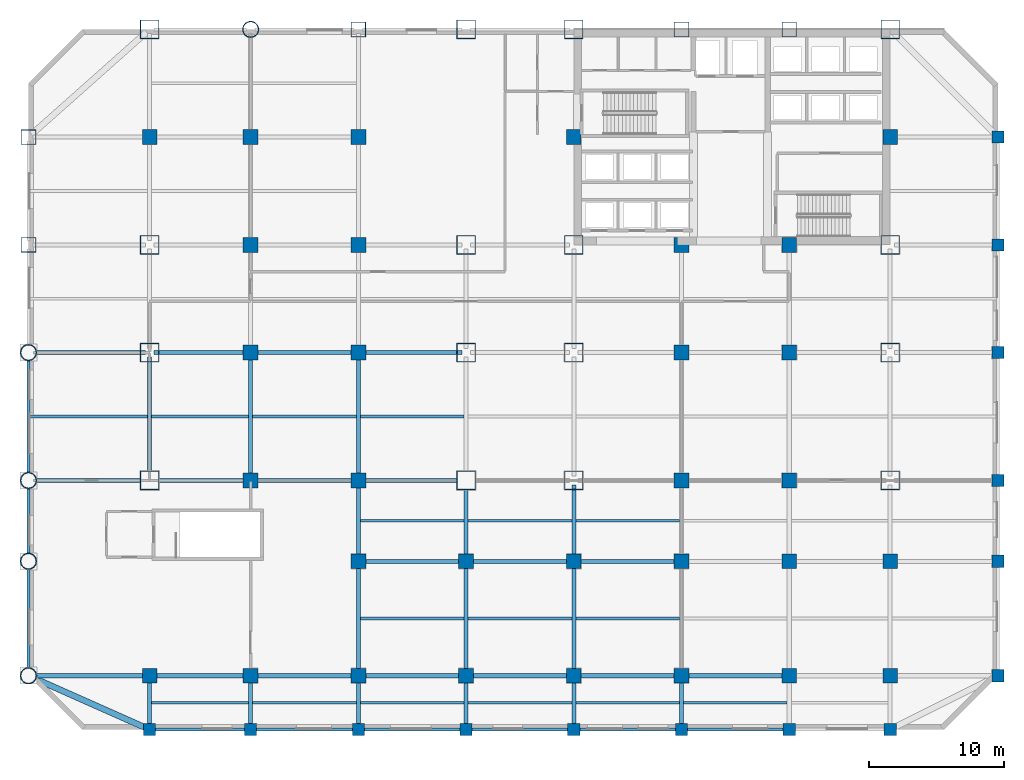
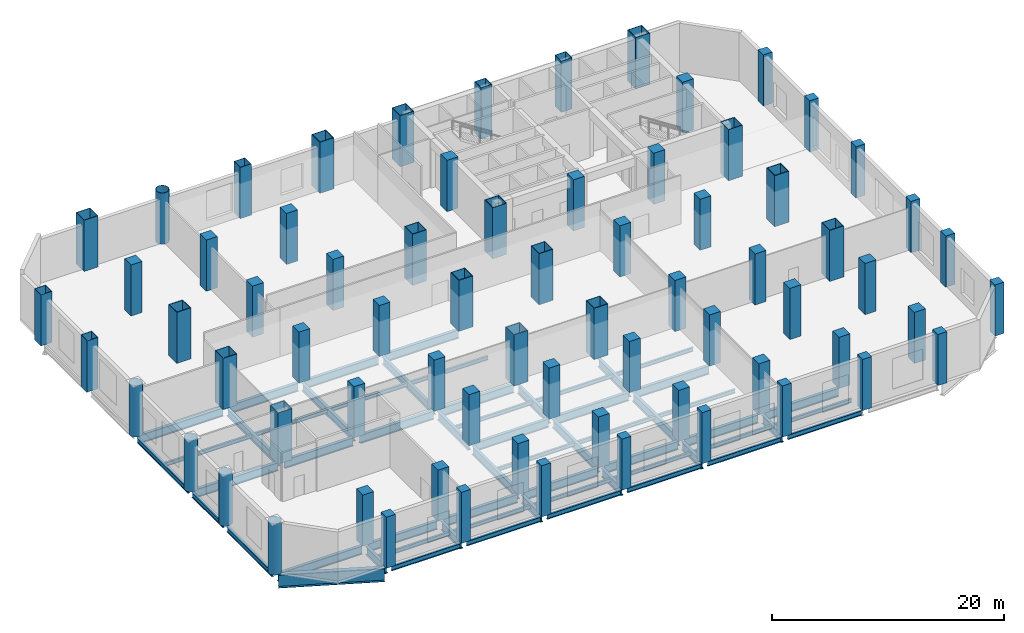
# One storey, part 1 of 9: 71 columns, 59 beams.
"""IFC4 building model written with IfcOpenShell, lengths in metres."""

from ifc_helpers import new_model, si_unit, direction, frame, origin, origin_2d, place, context, subcontext, project, spatial, rectangle, hollow_rectangle, hollow_circle, i_section, extrude, material, material_profile, profile_set, type_object, element, save


model = new_model("IFC4")

# Units and contexts
model_context = context("Model", 3, precision=1e-05, world=origin(), true_north=direction((0.0, 1.0)))
body_context = subcontext(model_context, "Body", "Model", "MODEL_VIEW")
ifc_project = project(units=[si_unit("LENGTHUNIT", "METRE"), si_unit("AREAUNIT", "SQUARE_METRE"), si_unit("VOLUMEUNIT", "CUBIC_METRE"), si_unit("PLANEANGLEUNIT", "RADIAN"), si_unit("MASSUNIT", "GRAM", prefix="KILO")], contexts=[model_context])

# Site, building, storey
site_placement = place(None, origin())
site = spatial("IfcSite", under=ifc_project, at=site_placement, CompositionType="ELEMENT")
building_placement = place(site_placement, origin())
building = spatial("IfcBuilding", under=site, at=building_placement, Name="Qianrong Seaharbour Tower", CompositionType="ELEMENT")
storey_placement = place(building_placement, frame((0.0, 0.0, 22.800048828125)))
storey = spatial("IfcBuildingStorey", under=building, at=storey_placement, Name="L05", CompositionType="ELEMENT", Elevation=22.800048828125)

# Columns
ifc_material_1 = material(Name="Structural steel SN490B", Category="steel")
ifc_material_profile_1 = material_profile(ifc_material_1, hollow_rectangle(XDim=1.39990234375, YDim=1.39990234375, WallThickness=0.050048828125, at=origin_2d()), Name="BOX1400x1400x50")
ifc_profile_set_1 = profile_set([ifc_material_profile_1], Name="Structural steel SN490B")
column_type_1 = type_object("IfcColumnType", Name="COL-CFT-1400", PredefinedType="COLUMN", material=ifc_profile_set_1)
for number, where, z_axis, x_axis, name in (
    (1, (9.0, 18.5, 0.0), (0.0, 0.0, 1.0), (1.0, 0.0, 0.0), "L05 Column MC-1 at G2/GD"),
    (2, (9.0, 28.0, 0.0), (0.0, 0.0, 1.0), (1.0, 0.0, 0.0), "L05 Column MC-1 at G2/GE"),
    (3, (9.0, 36.0, 0.0), (0.0, 0.0, 1.0), (1.0, 0.0, 0.0), "L05 Column MC-1 at G2/GF"),
    (4, (9.0, 52.0, 0.0), (0.0, 0.0, 1.0), (1.0, 0.0, 0.0), "L05 Column MC-1 at G2/GH"),
    (5, (32.5, 18.5, 0.0), (0.0, 0.0, 1.0), (1.0, 0.0, 0.0), "L05 Column MC-1 at G5/GD"),
    (6, (32.5, 28.0, 0.0), (0.0, 0.0, 1.0), (1.0, 0.0, 0.0), "L05 Column MC-1 at G5/GE"),
    (7, (32.5, 36.0, 0.0), (0.0, 0.0, 1.0), (1.0, 0.0, 0.0), "L05 Column MC-1 at G5/GF"),
    (8, (32.5, 52.0, 0.0), (0.0, 0.0, 1.0), (1.0, 0.0, 0.0), "L05 Column MC-1 at G5/GH"),
    (9, (40.5, 18.5, 0.0), (0.0, 0.0, 1.0), (1.0, 0.0, 0.0), "L05 Column MC-1 at G6/GD"),
    (10, (40.5, 28.0, 0.0), (0.0, 0.0, 1.0), (1.0, 0.0, 0.0), "L05 Column MC-1 at G6/GE"),
    (11, (40.5, 36.0, 0.0), (0.0, 0.0, 1.0), (1.0, 0.0, 0.0), "L05 Column MC-1 at G6/GF"),
    (12, (40.5, 52.0, 0.0), (0.0, 0.0, 1.0), (1.0, 0.0, 0.0), "L05 Column MC-1 at G6/GH"),
    (13, (64.0, 18.5, 0.0), (0.0, 0.0, 1.0), (1.0, 0.0, 0.0), "L05 Column MC-1 at G9/GD"),
    (14, (64.0, 28.0, 0.0), (0.0, 0.0, 1.0), (1.0, 0.0, 0.0), "L05 Column MC-1 at G9/GE"),
    (15, (64.0, 36.0, 0.0), (0.0, 0.0, 1.0), (1.0, 0.0, 0.0), "L05 Column MC-1 at G9/GF"),
    (16, (64.0, 52.0, 0.0), (0.0, 0.0, 1.0), (1.0, 0.0, 0.0), "L05 Column MC-1 at G9/GH"),
):
    element("IfcColumn", number, at=place(storey_placement, frame(where, z_axis=z_axis, x_axis=x_axis)), inside=storey, type_object=column_type_1, Name=name, PredefinedType="COLUMN", context=body_context, shape_type="SweptSolid", body=[
        extrude(hollow_rectangle(XDim=1.39990234375, YDim=1.39990234375, WallThickness=0.050048828125, at=origin_2d()), origin(), (0.0, 0.0, 1.0), 5.39990234375),
    ])
ifc_material_profile_2 = material_profile(ifc_material_1, hollow_circle(Radius=0.60009765625, WallThickness=0.0400390625, at=origin_2d()), Name="CHS1200x40")
ifc_profile_set_2 = profile_set([ifc_material_profile_2], Name="Structural steel SN490B")
column_type_2 = type_object("IfcColumnType", Name="COL-CHS-1200", PredefinedType="COLUMN", material=ifc_profile_set_2)
for number, where, z_axis, x_axis, name in (
    (17, (0.0, 4.0, 0.0), (0.0, 0.0, 1.0), (1.0, 0.0, 0.0), "L05 Column CC-1 at G1/GB"),
    (18, (0.0, 12.5, 0.0), (0.0, 0.0, 1.0), (1.0, 0.0, 0.0), "L05 Column CC-1 at G1/GC"),
    (19, (0.0, 18.5, 0.0), (0.0, 0.0, 1.0), (1.0, 0.0, 0.0), "L05 Column CC-1 at G1/GD"),
    (20, (0.0, 28.0, 0.0), (0.0, 0.0, 1.0), (1.0, 0.0, 0.0), "L05 Column CC-1 at G1/GE"),
    (21, (16.5, 52.0, 0.0), (0.0, 0.0, 1.0), (1.0, 0.0, 0.0), "L05 Column CC-1 at G3/GH"),
):
    element("IfcColumn", number, at=place(storey_placement, frame(where, z_axis=z_axis, x_axis=x_axis)), inside=storey, type_object=column_type_2, Name=name, PredefinedType="COLUMN", context=body_context, shape_type="SweptSolid", body=[
        extrude(hollow_circle(Radius=0.60009765625, WallThickness=0.0400390625, at=origin_2d()), origin(), (0.0, 0.0, 1.0), 5.39990234375),
    ])
ifc_material_2 = material(Name="Concrete C70/85", Category="concrete")
ifc_material_profile_3 = material_profile(ifc_material_2, rectangle(XDim=1.10009765625, YDim=1.10009765625, at=origin_2d()), Name="RC1100x1100")
ifc_profile_set_3 = profile_set([ifc_material_profile_3], Name="Concrete C70/85")
column_type_3 = type_object("IfcColumnType", Name="COL-INT-RC1100", PredefinedType="COLUMN", material=ifc_profile_set_3)
for number, where, z_axis, x_axis, name in (
    (22, (9.0, 4.0, 0.0), (0.0, 0.0, 1.0), (1.0, 0.0, 0.0), "L05 Column IC-1 at G2/GB"),
    (23, (9.0, 44.0, 0.0), (0.0, 0.0, 1.0), (1.0, 0.0, 0.0), "L05 Column IC-1 at G2/GG"),
    (24, (16.5, 4.0, 0.0), (0.0, 0.0, 1.0), (1.0, 0.0, 0.0), "L05 Column IC-1 at G3/GB"),
    (25, (16.5, 18.5, 0.0), (0.0, 0.0, 1.0), (1.0, 0.0, 0.0), "L05 Column IC-1 at G3/GD"),
    (26, (16.5, 28.0, 0.0), (0.0, 0.0, 1.0), (1.0, 0.0, 0.0), "L05 Column IC-1 at G3/GE"),
    (27, (16.5, 36.0, 0.0), (0.0, 0.0, 1.0), (1.0, 0.0, 0.0), "L05 Column IC-1 at G3/GF"),
    (28, (16.5, 44.0, 0.0), (0.0, 0.0, 1.0), (1.0, 0.0, 0.0), "L05 Column IC-1 at G3/GG"),
    (29, (24.5, 4.0, 0.0), (0.0, 0.0, 1.0), (1.0, 0.0, 0.0), "L05 Column IC-1 at G4/GB"),
    (30, (24.5, 12.5, 0.0), (0.0, 0.0, 1.0), (1.0, 0.0, 0.0), "L05 Column IC-1 at G4/GC"),
    (31, (24.5, 18.5, 0.0), (0.0, 0.0, 1.0), (1.0, 0.0, 0.0), "L05 Column IC-1 at G4/GD"),
    (32, (24.5, 28.0, 0.0), (0.0, 0.0, 1.0), (1.0, 0.0, 0.0), "L05 Column IC-1 at G4/GE"),
    (33, (24.5, 36.0, 0.0), (0.0, 0.0, 1.0), (1.0, 0.0, 0.0), "L05 Column IC-1 at G4/GF"),
    (34, (24.5, 44.0, 0.0), (0.0, 0.0, 1.0), (1.0, 0.0, 0.0), "L05 Column IC-1 at G4/GG"),
    (35, (32.5, 4.0, 0.0), (0.0, 0.0, 1.0), (1.0, 0.0, 0.0), "L05 Column IC-1 at G5/GB"),
    (36, (32.5, 12.5, 0.0), (0.0, 0.0, 1.0), (1.0, 0.0, 0.0), "L05 Column IC-1 at G5/GC"),
    (37, (40.5, 4.0, 0.0), (0.0, 0.0, 1.0), (1.0, 0.0, 0.0), "L05 Column IC-1 at G6/GB"),
    (38, (40.5, 12.5, 0.0), (0.0, 0.0, 1.0), (1.0, 0.0, 0.0), "L05 Column IC-1 at G6/GC"),
    (39, (40.5, 44.0, 0.0), (0.0, 0.0, 1.0), (1.0, 0.0, 0.0), "L05 Column IC-1 at G6/GG"),
    (40, (48.5, 4.0, 0.0), (0.0, 0.0, 1.0), (1.0, 0.0, 0.0), "L05 Column IC-1 at G7/GB"),
    (41, (48.5, 12.5, 0.0), (0.0, 0.0, 1.0), (1.0, 0.0, 0.0), "L05 Column IC-1 at G7/GC"),
    (42, (48.5, 18.5, 0.0), (0.0, 0.0, 1.0), (1.0, 0.0, 0.0), "L05 Column IC-1 at G7/GD"),
    (43, (48.5, 28.0, 0.0), (0.0, 0.0, 1.0), (1.0, 0.0, 0.0), "L05 Column IC-1 at G7/GE"),
    (44, (48.5, 36.0, 0.0), (0.0, 0.0, 1.0), (1.0, 0.0, 0.0), "L05 Column IC-1 at G7/GF"),
    (45, (56.5, 4.0, 0.0), (0.0, 0.0, 1.0), (1.0, 0.0, 0.0), "L05 Column IC-1 at G8/GB"),
    (46, (56.5, 12.5, 0.0), (0.0, 0.0, 1.0), (1.0, 0.0, 0.0), "L05 Column IC-1 at G8/GC"),
    (47, (56.5, 18.5, 0.0), (0.0, 0.0, 1.0), (1.0, 0.0, 0.0), "L05 Column IC-1 at G8/GD"),
    (48, (56.5, 28.0, 0.0), (0.0, 0.0, 1.0), (1.0, 0.0, 0.0), "L05 Column IC-1 at G8/GE"),
    (49, (56.5, 36.0, 0.0), (0.0, 0.0, 1.0), (1.0, 0.0, 0.0), "L05 Column IC-1 at G8/GF"),
    (50, (64.0, 4.0, 0.0), (0.0, 0.0, 1.0), (1.0, 0.0, 0.0), "L05 Column IC-1 at G9/GB"),
    (51, (64.0, 12.5, 0.0), (0.0, 0.0, 1.0), (1.0, 0.0, 0.0), "L05 Column IC-1 at G9/GC"),
    (52, (64.0, 44.0, 0.0), (0.0, 0.0, 1.0), (1.0, 0.0, 0.0), "L05 Column IC-1 at G9/GG"),
):
    element("IfcColumn", number, at=place(storey_placement, frame(where, z_axis=z_axis, x_axis=x_axis)), inside=storey, type_object=column_type_3, Name=name, PredefinedType="COLUMN", context=body_context, shape_type="SweptSolid", body=[
        extrude(rectangle(XDim=1.10009765625, YDim=1.10009765625, at=origin_2d()), origin(), (0.0, 0.0, 1.0), 5.39990234375),
    ])
ifc_material_profile_4 = material_profile(ifc_material_1, hollow_rectangle(XDim=1.10009765625, YDim=1.10009765625, WallThickness=0.0400390625, at=origin_2d()), Name="BOX1100x1100x40")
ifc_profile_set_4 = profile_set([ifc_material_profile_4], Name="Structural steel SN490B")
column_type_4 = type_object("IfcColumnType", Name="COL-PER-1100", PredefinedType="COLUMN", material=ifc_profile_set_4)
for number, where, z_axis, x_axis, name in (
    (53, (0.0, 36.0, 0.0), (0.0, 0.0, 1.0), (1.0, 0.0, 0.0), "L05 Column PC-1 at G1/GF"),
    (54, (0.0, 44.0, 0.0), (0.0, 0.0, 1.0), (1.0, 0.0, 0.0), "L05 Column PC-1 at G1/GG"),
    (55, (24.5, 52.0, 0.0), (0.0, 0.0, 1.0), (1.0, 0.0, 0.0), "L05 Column PC-1 at G4/GH"),
    (56, (48.5, 52.0, 0.0), (0.0, 0.0, 1.0), (1.0, 0.0, 0.0), "L05 Column PC-1 at G7/GH"),
    (57, (56.5, 52.0, 0.0), (0.0, 0.0, 1.0), (1.0, 0.0, 0.0), "L05 Column PC-1 at G8/GH"),
):
    element("IfcColumn", number, at=place(storey_placement, frame(where, z_axis=z_axis, x_axis=x_axis)), inside=storey, type_object=column_type_4, Name=name, PredefinedType="COLUMN", context=body_context, shape_type="SweptSolid", body=[
        extrude(hollow_rectangle(XDim=1.10009765625, YDim=1.10009765625, WallThickness=0.0400390625, at=origin_2d()), origin(), (0.0, 0.0, 1.0), 5.39990234375),
    ])
ifc_material_3 = material(Name="Concrete C60/75", Category="concrete")
ifc_material_profile_5 = material_profile(ifc_material_3, rectangle(XDim=0.89990234375, YDim=0.89990234375, at=origin_2d()), Name="RC900x900")
ifc_profile_set_5 = profile_set([ifc_material_profile_5], Name="Concrete C60/75")
column_type_5 = type_object("IfcColumnType", Name="COL-PIL-RC900", PredefinedType="PILASTER", material=ifc_profile_set_5)
for number, where, z_axis, x_axis, name in (
    (58, (9.0, 0.0, 0.0), (0.0, 0.0, 1.0), (1.0, 0.0, 0.0), "L05 Column CP-1 at G2/GA"),
    (59, (16.5, 0.0, 0.0), (0.0, 0.0, 1.0), (1.0, 0.0, 0.0), "L05 Column CP-1 at G3/GA"),
    (60, (24.5, 0.0, 0.0), (0.0, 0.0, 1.0), (1.0, 0.0, 0.0), "L05 Column CP-1 at G4/GA"),
    (61, (32.5, 0.0, 0.0), (0.0, 0.0, 1.0), (1.0, 0.0, 0.0), "L05 Column CP-1 at G5/GA"),
    (62, (40.5, 0.0, 0.0), (0.0, 0.0, 1.0), (1.0, 0.0, 0.0), "L05 Column CP-1 at G6/GA"),
    (63, (48.5, 0.0, 0.0), (0.0, 0.0, 1.0), (1.0, 0.0, 0.0), "L05 Column CP-1 at G7/GA"),
    (64, (56.5, 0.0, 0.0), (0.0, 0.0, 1.0), (1.0, 0.0, 0.0), "L05 Column CP-1 at G8/GA"),
    (65, (64.0, 0.0, 0.0), (0.0, 0.0, 1.0), (1.0, 0.0, 0.0), "L05 Column CP-1 at G9/GA"),
    (66, (72.0, 4.0, 0.0), (0.0, 0.0, 1.0), (1.0, 0.0, 0.0), "L05 Column CP-1 at G10/GB"),
    (67, (72.0, 12.5, 0.0), (0.0, 0.0, 1.0), (1.0, 0.0, 0.0), "L05 Column CP-1 at G10/GC"),
    (68, (72.0, 18.5, 0.0), (0.0, 0.0, 1.0), (1.0, 0.0, 0.0), "L05 Column CP-1 at G10/GD"),
    (69, (72.0, 28.0, 0.0), (0.0, 0.0, 1.0), (1.0, 0.0, 0.0), "L05 Column CP-1 at G10/GE"),
    (70, (72.0, 36.0, 0.0), (0.0, 0.0, 1.0), (1.0, 0.0, 0.0), "L05 Column CP-1 at G10/GF"),
    (71, (72.0, 44.0, 0.0), (0.0, 0.0, 1.0), (1.0, 0.0, 0.0), "L05 Column CP-1 at G10/GG"),
):
    element("IfcColumn", number, at=place(storey_placement, frame(where, z_axis=z_axis, x_axis=x_axis)), inside=storey, type_object=column_type_5, Name=name, PredefinedType="PILASTER", context=body_context, shape_type="SweptSolid", body=[
        extrude(rectangle(XDim=0.89990234375, YDim=0.89990234375, at=origin_2d()), origin(), (0.0, 0.0, 1.0), 5.39990234375),
    ])

# Beams
ifc_material_profile_6 = material_profile(ifc_material_1, i_section(OverallWidth=0.300048828125, OverallDepth=0.800048828125, WebThickness=0.013916015625, FlangeThickness=0.02587890625, FilletRadius=0.028076171875, at=origin_2d()), Name="H800x300x14x26")
ifc_profile_set_6 = profile_set([ifc_material_profile_6], Name="Structural steel SN490B")
beam_type_1 = type_object("IfcBeamType", Name="BM-G-800", PredefinedType="BEAM", material=ifc_profile_set_6)
for number, where, z_axis, x_axis, name in (
    (72, (9.0, 18.820068359375, -0.66015625), (0.0, 1.0, 0.0), (-1.0, 0.0, 0.0), "L05 Primary Girder G2 GD-GE"),
    (73, (16.5, 18.820068359375, -0.66015625), (0.0, 1.0, 0.0), (-1.0, 0.0, 0.0), "L05 Primary Girder G3 GD-GE"),
    (74, (24.5, 18.820068359375, -0.66015625), (0.0, 1.0, 0.0), (-1.0, 0.0, 0.0), "L05 Primary Girder G4 GD-GE"),
):
    element("IfcBeam", number, at=place(storey_placement, frame(where, z_axis=z_axis, x_axis=x_axis)), inside=storey, type_object=beam_type_1, Name=name, PredefinedType="BEAM", context=body_context, shape_type="SweptSolid", body=[
        extrude(i_section(OverallWidth=0.300048828125, OverallDepth=0.800048828125, WebThickness=0.013916015625, FlangeThickness=0.02587890625, FilletRadius=0.028076171875, at=origin_2d()), origin(), (0.0, 0.0, 1.0), 8.85986328125),
    ])
ifc_material_profile_7 = material_profile(ifc_material_1, i_section(OverallWidth=0.300048828125, OverallDepth=0.89990234375, WebThickness=0.01611328125, FlangeThickness=0.028076171875, FilletRadius=0.028076171875, at=origin_2d()), Name="H900x300x16x28")
ifc_profile_set_7 = profile_set([ifc_material_profile_7], Name="Structural steel SN490B")
beam_type_2 = type_object("IfcBeamType", Name="BM-G-900", PredefinedType="BEAM", material=ifc_profile_set_7)
beam_1_placement = place(storey_placement, frame((0.320068359375, 4.0, -0.7099609375), z_axis=(1.0, 0.0, 0.0), x_axis=(0.0, 1.0, 0.0)))
element("IfcBeam", 75, at=beam_1_placement, inside=storey, type_object=beam_type_2, Name="L05 Primary Girder GB G1-G2", PredefinedType="BEAM", context=body_context, shape_type="SweptSolid", body=[
    extrude(i_section(OverallWidth=0.300048828125, OverallDepth=0.89990234375, WebThickness=0.01611328125, FlangeThickness=0.028076171875, FilletRadius=0.028076171875, at=origin_2d()), origin(), (0.0, 0.0, 1.0), 8.35986328125),
])
beam_2_placement = place(storey_placement, frame((9.320068359375, 4.0, -0.7099609375), z_axis=(1.0, 0.0, 0.0), x_axis=(0.0, 1.0, 0.0)))
element("IfcBeam", 76, at=beam_2_placement, inside=storey, type_object=beam_type_2, Name="L05 Primary Girder GB G2-G3", PredefinedType="BEAM", context=body_context, shape_type="SweptSolid", body=[
    extrude(i_section(OverallWidth=0.300048828125, OverallDepth=0.89990234375, WebThickness=0.01611328125, FlangeThickness=0.028076171875, FilletRadius=0.028076171875, at=origin_2d()), origin(), (0.0, 0.0, 1.0), 6.85986328125),
])
for number, where, z_axis, x_axis, name in (
    (77, (16.820068359375, 4.0, -0.7099609375), (1.0, 0.0, 0.0), (0.0, 1.0, 0.0), "L05 Primary Girder GB G3-G4"),
    (78, (24.820068359375, 4.0, -0.7099609375), (1.0, 0.0, 0.0), (0.0, 1.0, 0.0), "L05 Primary Girder GB G4-G5"),
    (79, (32.820068359375, 4.0, -0.7099609375), (1.0, 0.0, 0.0), (0.0, 1.0, 0.0), "L05 Primary Girder GB G5-G6"),
    (80, (40.820068359375, 4.0, -0.7099609375), (1.0, 0.0, 0.0), (0.0, 1.0, 0.0), "L05 Primary Girder GB G6-G7"),
    (81, (48.820068359375, 4.0, -0.7099609375), (1.0, 0.0, 0.0), (0.0, 1.0, 0.0), "L05 Primary Girder GB G7-G8"),
    (82, (24.820068359375, 12.5, -0.7099609375), (1.0, 0.0, 0.0), (0.0, 1.0, 0.0), "L05 Primary Girder GC G4-G5"),
    (83, (32.820068359375, 12.5, -0.7099609375), (1.0, 0.0, 0.0), (0.0, 1.0, 0.0), "L05 Primary Girder GC G5-G6"),
    (84, (40.820068359375, 12.5, -0.7099609375), (1.0, 0.0, 0.0), (0.0, 1.0, 0.0), "L05 Primary Girder GC G6-G7"),
):
    element("IfcBeam", number, at=place(storey_placement, frame(where, z_axis=z_axis, x_axis=x_axis)), inside=storey, type_object=beam_type_2, Name=name, PredefinedType="BEAM", context=body_context, shape_type="SweptSolid", body=[
        extrude(i_section(OverallWidth=0.300048828125, OverallDepth=0.89990234375, WebThickness=0.01611328125, FlangeThickness=0.028076171875, FilletRadius=0.028076171875, at=origin_2d()), origin(), (0.0, 0.0, 1.0), 7.35986328125),
    ])
beam_3_placement = place(storey_placement, frame((0.320068359375, 18.5, -0.7099609375), z_axis=(1.0, 0.0, 0.0), x_axis=(0.0, 1.0, 0.0)))
element("IfcBeam", 85, at=beam_3_placement, inside=storey, type_object=beam_type_2, Name="L05 Primary Girder GD G1-G2", PredefinedType="BEAM", context=body_context, shape_type="SweptSolid", body=[
    extrude(i_section(OverallWidth=0.300048828125, OverallDepth=0.89990234375, WebThickness=0.01611328125, FlangeThickness=0.028076171875, FilletRadius=0.028076171875, at=origin_2d()), origin(), (0.0, 0.0, 1.0), 8.35986328125),
])
beam_4_placement = place(storey_placement, frame((9.320068359375, 18.5, -0.7099609375), z_axis=(1.0, 0.0, 0.0), x_axis=(0.0, 1.0, 0.0)))
element("IfcBeam", 86, at=beam_4_placement, inside=storey, type_object=beam_type_2, Name="L05 Primary Girder GD G2-G3", PredefinedType="BEAM", context=body_context, shape_type="SweptSolid", body=[
    extrude(i_section(OverallWidth=0.300048828125, OverallDepth=0.89990234375, WebThickness=0.01611328125, FlangeThickness=0.028076171875, FilletRadius=0.028076171875, at=origin_2d()), origin(), (0.0, 0.0, 1.0), 6.85986328125),
])
for number, where, z_axis, x_axis, name in (
    (87, (16.820068359375, 18.5, -0.7099609375), (1.0, 0.0, 0.0), (0.0, 1.0, 0.0), "L05 Primary Girder GD G3-G4"),
    (88, (24.820068359375, 18.5, -0.7099609375), (1.0, 0.0, 0.0), (0.0, 1.0, 0.0), "L05 Primary Girder GD G4-G5"),
):
    element("IfcBeam", number, at=place(storey_placement, frame(where, z_axis=z_axis, x_axis=x_axis)), inside=storey, type_object=beam_type_2, Name=name, PredefinedType="BEAM", context=body_context, shape_type="SweptSolid", body=[
        extrude(i_section(OverallWidth=0.300048828125, OverallDepth=0.89990234375, WebThickness=0.01611328125, FlangeThickness=0.028076171875, FilletRadius=0.028076171875, at=origin_2d()), origin(), (0.0, 0.0, 1.0), 7.35986328125),
    ])
beam_5_placement = place(storey_placement, frame((0.320068359375, 28.0, -0.7099609375), z_axis=(1.0, 0.0, 0.0), x_axis=(0.0, 1.0, 0.0)))
element("IfcBeam", 89, at=beam_5_placement, inside=storey, type_object=beam_type_2, Name="L05 Primary Girder GE G1-G2", PredefinedType="BEAM", context=body_context, shape_type="SweptSolid", body=[
    extrude(i_section(OverallWidth=0.300048828125, OverallDepth=0.89990234375, WebThickness=0.01611328125, FlangeThickness=0.028076171875, FilletRadius=0.028076171875, at=origin_2d()), origin(), (0.0, 0.0, 1.0), 8.35986328125),
])
beam_6_placement = place(storey_placement, frame((9.320068359375, 28.0, -0.7099609375), z_axis=(1.0, 0.0, 0.0), x_axis=(0.0, 1.0, 0.0)))
element("IfcBeam", 90, at=beam_6_placement, inside=storey, type_object=beam_type_2, Name="L05 Primary Girder GE G2-G3", PredefinedType="BEAM", context=body_context, shape_type="SweptSolid", body=[
    extrude(i_section(OverallWidth=0.300048828125, OverallDepth=0.89990234375, WebThickness=0.01611328125, FlangeThickness=0.028076171875, FilletRadius=0.028076171875, at=origin_2d()), origin(), (0.0, 0.0, 1.0), 6.85986328125),
])
for number, where, z_axis, x_axis, name in (
    (91, (16.820068359375, 28.0, -0.7099609375), (1.0, 0.0, 0.0), (0.0, 1.0, 0.0), "L05 Primary Girder GE G3-G4"),
    (92, (24.820068359375, 28.0, -0.7099609375), (1.0, 0.0, 0.0), (0.0, 1.0, 0.0), "L05 Primary Girder GE G4-G5"),
):
    element("IfcBeam", number, at=place(storey_placement, frame(where, z_axis=z_axis, x_axis=x_axis)), inside=storey, type_object=beam_type_2, Name=name, PredefinedType="BEAM", context=body_context, shape_type="SweptSolid", body=[
        extrude(i_section(OverallWidth=0.300048828125, OverallDepth=0.89990234375, WebThickness=0.01611328125, FlangeThickness=0.028076171875, FilletRadius=0.028076171875, at=origin_2d()), origin(), (0.0, 0.0, 1.0), 7.35986328125),
    ])
for number, where, z_axis, x_axis, name in (
    (93, (9.0, 0.320068359375, -0.7099609375), (0.0, 1.0, 0.0), (-1.0, 0.0, 0.0), "L05 Primary Girder G2 GA-GB"),
    (94, (16.5, 0.320068359375, -0.7099609375), (0.0, 1.0, 0.0), (-1.0, 0.0, 0.0), "L05 Primary Girder G3 GA-GB"),
    (95, (24.5, 0.320068359375, -0.7099609375), (0.0, 1.0, 0.0), (-1.0, 0.0, 0.0), "L05 Primary Girder G4 GA-GB"),
):
    element("IfcBeam", number, at=place(storey_placement, frame(where, z_axis=z_axis, x_axis=x_axis)), inside=storey, type_object=beam_type_2, Name=name, PredefinedType="BEAM", context=body_context, shape_type="SweptSolid", body=[
        extrude(i_section(OverallWidth=0.300048828125, OverallDepth=0.89990234375, WebThickness=0.01611328125, FlangeThickness=0.028076171875, FilletRadius=0.028076171875, at=origin_2d()), origin(), (0.0, 0.0, 1.0), 3.35986328125),
    ])
beam_7_placement = place(storey_placement, frame((24.5, 4.320068359375, -0.7099609375), z_axis=(0.0, 1.0, 0.0), x_axis=(-1.0, 0.0, 0.0)))
element("IfcBeam", 96, at=beam_7_placement, inside=storey, type_object=beam_type_2, Name="L05 Primary Girder G4 GB-GC", PredefinedType="BEAM", context=body_context, shape_type="SweptSolid", body=[
    extrude(i_section(OverallWidth=0.300048828125, OverallDepth=0.89990234375, WebThickness=0.01611328125, FlangeThickness=0.028076171875, FilletRadius=0.028076171875, at=origin_2d()), origin(), (0.0, 0.0, 1.0), 7.85986328125),
])
beam_8_placement = place(storey_placement, frame((24.5, 12.820068359375, -0.7099609375), z_axis=(0.0, 1.0, 0.0), x_axis=(-1.0, 0.0, 0.0)))
element("IfcBeam", 97, at=beam_8_placement, inside=storey, type_object=beam_type_2, Name="L05 Primary Girder G4 GC-GD", PredefinedType="BEAM", context=body_context, shape_type="SweptSolid", body=[
    extrude(i_section(OverallWidth=0.300048828125, OverallDepth=0.89990234375, WebThickness=0.01611328125, FlangeThickness=0.028076171875, FilletRadius=0.028076171875, at=origin_2d()), origin(), (0.0, 0.0, 1.0), 5.35986328125),
])
beam_9_placement = place(storey_placement, frame((32.5, 0.320068359375, -0.7099609375), z_axis=(0.0, 1.0, 0.0), x_axis=(-1.0, 0.0, 0.0)))
element("IfcBeam", 98, at=beam_9_placement, inside=storey, type_object=beam_type_2, Name="L05 Primary Girder G5 GA-GB", PredefinedType="BEAM", context=body_context, shape_type="SweptSolid", body=[
    extrude(i_section(OverallWidth=0.300048828125, OverallDepth=0.89990234375, WebThickness=0.01611328125, FlangeThickness=0.028076171875, FilletRadius=0.028076171875, at=origin_2d()), origin(), (0.0, 0.0, 1.0), 3.35986328125),
])
beam_10_placement = place(storey_placement, frame((32.5, 4.320068359375, -0.7099609375), z_axis=(0.0, 1.0, 0.0), x_axis=(-1.0, 0.0, 0.0)))
element("IfcBeam", 99, at=beam_10_placement, inside=storey, type_object=beam_type_2, Name="L05 Primary Girder G5 GB-GC", PredefinedType="BEAM", context=body_context, shape_type="SweptSolid", body=[
    extrude(i_section(OverallWidth=0.300048828125, OverallDepth=0.89990234375, WebThickness=0.01611328125, FlangeThickness=0.028076171875, FilletRadius=0.028076171875, at=origin_2d()), origin(), (0.0, 0.0, 1.0), 7.85986328125),
])
beam_11_placement = place(storey_placement, frame((32.5, 12.820068359375, -0.7099609375), z_axis=(0.0, 1.0, 0.0), x_axis=(-1.0, 0.0, 0.0)))
element("IfcBeam", 100, at=beam_11_placement, inside=storey, type_object=beam_type_2, Name="L05 Primary Girder G5 GC-GD", PredefinedType="BEAM", context=body_context, shape_type="SweptSolid", body=[
    extrude(i_section(OverallWidth=0.300048828125, OverallDepth=0.89990234375, WebThickness=0.01611328125, FlangeThickness=0.028076171875, FilletRadius=0.028076171875, at=origin_2d()), origin(), (0.0, 0.0, 1.0), 5.35986328125),
])
beam_12_placement = place(storey_placement, frame((40.5, 0.320068359375, -0.7099609375), z_axis=(0.0, 1.0, 0.0), x_axis=(-1.0, 0.0, 0.0)))
element("IfcBeam", 101, at=beam_12_placement, inside=storey, type_object=beam_type_2, Name="L05 Primary Girder G6 GA-GB", PredefinedType="BEAM", context=body_context, shape_type="SweptSolid", body=[
    extrude(i_section(OverallWidth=0.300048828125, OverallDepth=0.89990234375, WebThickness=0.01611328125, FlangeThickness=0.028076171875, FilletRadius=0.028076171875, at=origin_2d()), origin(), (0.0, 0.0, 1.0), 3.35986328125),
])
beam_13_placement = place(storey_placement, frame((40.5, 4.320068359375, -0.7099609375), z_axis=(0.0, 1.0, 0.0), x_axis=(-1.0, 0.0, 0.0)))
element("IfcBeam", 102, at=beam_13_placement, inside=storey, type_object=beam_type_2, Name="L05 Primary Girder G6 GB-GC", PredefinedType="BEAM", context=body_context, shape_type="SweptSolid", body=[
    extrude(i_section(OverallWidth=0.300048828125, OverallDepth=0.89990234375, WebThickness=0.01611328125, FlangeThickness=0.028076171875, FilletRadius=0.028076171875, at=origin_2d()), origin(), (0.0, 0.0, 1.0), 7.85986328125),
])
beam_14_placement = place(storey_placement, frame((40.5, 12.820068359375, -0.7099609375), z_axis=(0.0, 1.0, 0.0), x_axis=(-1.0, 0.0, 0.0)))
element("IfcBeam", 103, at=beam_14_placement, inside=storey, type_object=beam_type_2, Name="L05 Primary Girder G6 GC-GD", PredefinedType="BEAM", context=body_context, shape_type="SweptSolid", body=[
    extrude(i_section(OverallWidth=0.300048828125, OverallDepth=0.89990234375, WebThickness=0.01611328125, FlangeThickness=0.028076171875, FilletRadius=0.028076171875, at=origin_2d()), origin(), (0.0, 0.0, 1.0), 5.35986328125),
])
beam_15_placement = place(storey_placement, frame((48.5, 0.320068359375, -0.7099609375), z_axis=(0.0, 1.0, 0.0), x_axis=(-1.0, 0.0, 0.0)))
element("IfcBeam", 104, at=beam_15_placement, inside=storey, type_object=beam_type_2, Name="L05 Primary Girder G7 GA-GB", PredefinedType="BEAM", context=body_context, shape_type="SweptSolid", body=[
    extrude(i_section(OverallWidth=0.300048828125, OverallDepth=0.89990234375, WebThickness=0.01611328125, FlangeThickness=0.028076171875, FilletRadius=0.028076171875, at=origin_2d()), origin(), (0.0, 0.0, 1.0), 3.35986328125),
])
ifc_material_4 = material(Name="Structural steel SN400B", Category="steel")
ifc_material_profile_8 = material_profile(ifc_material_4, i_section(OverallWidth=0.199951171875, OverallDepth=0.39990234375, WebThickness=0.008056640625, FlangeThickness=0.012939453125, FilletRadius=0.01611328125, at=origin_2d()), Name="H400x200x8x13")
ifc_profile_set_8 = profile_set([ifc_material_profile_8], Name="Structural steel SN400B")
beam_type_3 = type_object("IfcBeamType", Name="BM-J-400", PredefinedType="JOIST", material=ifc_profile_set_8)
beam_16_placement = place(storey_placement, frame((0.10009765625, 23.25, -0.4599609375), z_axis=(1.0, 0.0, 0.0), x_axis=(0.0, 1.0, 0.0)))
element("IfcBeam", 105, at=beam_16_placement, inside=storey, type_object=beam_type_3, Name="L05 Composite Floor Joist G1-G2/GD-GE", PredefinedType="JOIST", context=body_context, shape_type="SweptSolid", body=[
    extrude(i_section(OverallWidth=0.199951171875, OverallDepth=0.39990234375, WebThickness=0.008056640625, FlangeThickness=0.012939453125, FilletRadius=0.01611328125, at=origin_2d()), origin(), (0.0, 0.0, 1.0), 8.75),
])
for number, where, z_axis, x_axis, name in (
    (106, (9.14990234375, 2.0, -0.4599609375), (1.0, 0.0, 0.0), (0.0, 1.0, 0.0), "L05 Composite Floor Joist G2-G3/GA-GB"),
    (107, (9.14990234375, 23.25, -0.4599609375), (1.0, 0.0, 0.0), (0.0, 1.0, 0.0), "L05 Composite Floor Joist G2-G3/GD-GE"),
):
    element("IfcBeam", number, at=place(storey_placement, frame(where, z_axis=z_axis, x_axis=x_axis)), inside=storey, type_object=beam_type_3, Name=name, PredefinedType="JOIST", context=body_context, shape_type="SweptSolid", body=[
        extrude(i_section(OverallWidth=0.199951171875, OverallDepth=0.39990234375, WebThickness=0.008056640625, FlangeThickness=0.012939453125, FilletRadius=0.01611328125, at=origin_2d()), origin(), (0.0, 0.0, 1.0), 7.2001953125),
    ])
for number, where, z_axis, x_axis, name in (
    (108, (16.64990234375, 2.0, -0.4599609375), (1.0, 0.0, 0.0), (0.0, 1.0, 0.0), "L05 Composite Floor Joist G3-G4/GA-GB"),
    (109, (16.64990234375, 23.25, -0.4599609375), (1.0, 0.0, 0.0), (0.0, 1.0, 0.0), "L05 Composite Floor Joist G3-G4/GD-GE"),
    (110, (24.64990234375, 2.0, -0.4599609375), (1.0, 0.0, 0.0), (0.0, 1.0, 0.0), "L05 Composite Floor Joist G4-G5/GA-GB"),
    (111, (24.64990234375, 8.25, -0.4599609375), (1.0, 0.0, 0.0), (0.0, 1.0, 0.0), "L05 Composite Floor Joist G4-G5/GB-GC"),
    (112, (24.64990234375, 15.5, -0.4599609375), (1.0, 0.0, 0.0), (0.0, 1.0, 0.0), "L05 Composite Floor Joist G4-G5/GC-GD"),
    (113, (24.64990234375, 23.25, -0.4599609375), (1.0, 0.0, 0.0), (0.0, 1.0, 0.0), "L05 Composite Floor Joist G4-G5/GD-GE"),
    (114, (32.64990234375, 2.0, -0.4599609375), (1.0, 0.0, 0.0), (0.0, 1.0, 0.0), "L05 Composite Floor Joist G5-G6/GA-GB"),
    (115, (32.64990234375, 8.25, -0.4599609375), (1.0, 0.0, 0.0), (0.0, 1.0, 0.0), "L05 Composite Floor Joist G5-G6/GB-GC"),
    (116, (32.64990234375, 15.5, -0.4599609375), (1.0, 0.0, 0.0), (0.0, 1.0, 0.0), "L05 Composite Floor Joist G5-G6/GC-GD"),
    (117, (40.64990234375, 2.0, -0.4599609375), (1.0, 0.0, 0.0), (0.0, 1.0, 0.0), "L05 Composite Floor Joist G6-G7/GA-GB"),
    (118, (40.64990234375, 8.25, -0.4599609375), (1.0, 0.0, 0.0), (0.0, 1.0, 0.0), "L05 Composite Floor Joist G6-G7/GB-GC"),
    (119, (40.64990234375, 15.5, -0.4599609375), (1.0, 0.0, 0.0), (0.0, 1.0, 0.0), "L05 Composite Floor Joist G6-G7/GC-GD"),
    (120, (48.64990234375, 2.0, -0.4599609375), (1.0, 0.0, 0.0), (0.0, 1.0, 0.0), "L05 Composite Floor Joist G7-G8/GA-GB"),
):
    element("IfcBeam", number, at=place(storey_placement, frame(where, z_axis=z_axis, x_axis=x_axis)), inside=storey, type_object=beam_type_3, Name=name, PredefinedType="JOIST", context=body_context, shape_type="SweptSolid", body=[
        extrude(i_section(OverallWidth=0.199951171875, OverallDepth=0.39990234375, WebThickness=0.008056640625, FlangeThickness=0.012939453125, FilletRadius=0.01611328125, at=origin_2d()), origin(), (0.0, 0.0, 1.0), 7.7001953125),
    ])
ifc_material_profile_9 = material_profile(ifc_material_1, i_section(OverallWidth=0.199951171875, OverallDepth=0.5, WebThickness=0.010009765625, FlangeThickness=0.01611328125, FilletRadius=0.02001953125, at=origin_2d()), Name="H500x200x10x16")
ifc_profile_set_9 = profile_set([ifc_material_profile_9], Name="Structural steel SN490B")
beam_type_4 = type_object("IfcBeamType", Name="BM-SP-500", PredefinedType="SPANDREL", material=ifc_profile_set_9)
beam_17_placement = place(storey_placement, frame((9.320068359375, 0.0, -0.510009765625), z_axis=(1.0, 0.0, 0.0), x_axis=(0.0, 1.0, 0.0)))
element("IfcBeam", 121, at=beam_17_placement, inside=storey, type_object=beam_type_4, Name="L05 Spandrel Girder GA G2-G3", PredefinedType="SPANDREL", context=body_context, shape_type="SweptSolid", body=[
    extrude(i_section(OverallWidth=0.199951171875, OverallDepth=0.5, WebThickness=0.010009765625, FlangeThickness=0.01611328125, FilletRadius=0.02001953125, at=origin_2d()), origin(), (0.0, 0.0, 1.0), 6.85986328125),
])
for number, where, z_axis, x_axis, name in (
    (122, (16.820068359375, 0.0, -0.510009765625), (1.0, 0.0, 0.0), (0.0, 1.0, 0.0), "L05 Spandrel Girder GA G3-G4"),
    (123, (24.820068359375, 0.0, -0.510009765625), (1.0, 0.0, 0.0), (0.0, 1.0, 0.0), "L05 Spandrel Girder GA G4-G5"),
    (124, (32.820068359375, 0.0, -0.510009765625), (1.0, 0.0, 0.0), (0.0, 1.0, 0.0), "L05 Spandrel Girder GA G5-G6"),
    (125, (40.820068359375, 0.0, -0.510009765625), (1.0, 0.0, 0.0), (0.0, 1.0, 0.0), "L05 Spandrel Girder GA G6-G7"),
    (126, (48.820068359375, 0.0, -0.510009765625), (1.0, 0.0, 0.0), (0.0, 1.0, 0.0), "L05 Spandrel Girder GA G7-G8"),
):
    element("IfcBeam", number, at=place(storey_placement, frame(where, z_axis=z_axis, x_axis=x_axis)), inside=storey, type_object=beam_type_4, Name=name, PredefinedType="SPANDREL", context=body_context, shape_type="SweptSolid", body=[
        extrude(i_section(OverallWidth=0.199951171875, OverallDepth=0.5, WebThickness=0.010009765625, FlangeThickness=0.01611328125, FilletRadius=0.02001953125, at=origin_2d()), origin(), (0.0, 0.0, 1.0), 7.35986328125),
    ])
beam_18_placement = place(storey_placement, frame((0.0, 4.320068359375, -0.510009765625), z_axis=(0.0, 1.0, 0.0), x_axis=(-1.0, 0.0, 0.0)))
element("IfcBeam", 127, at=beam_18_placement, inside=storey, type_object=beam_type_4, Name="L05 Spandrel Girder G1 GB-GC", PredefinedType="SPANDREL", context=body_context, shape_type="SweptSolid", body=[
    extrude(i_section(OverallWidth=0.199951171875, OverallDepth=0.5, WebThickness=0.010009765625, FlangeThickness=0.01611328125, FilletRadius=0.02001953125, at=origin_2d()), origin(), (0.0, 0.0, 1.0), 7.85986328125),
])
beam_19_placement = place(storey_placement, frame((0.0, 12.820068359375, -0.510009765625), z_axis=(0.0, 1.0, 0.0), x_axis=(-1.0, 0.0, 0.0)))
element("IfcBeam", 128, at=beam_19_placement, inside=storey, type_object=beam_type_4, Name="L05 Spandrel Girder G1 GC-GD", PredefinedType="SPANDREL", context=body_context, shape_type="SweptSolid", body=[
    extrude(i_section(OverallWidth=0.199951171875, OverallDepth=0.5, WebThickness=0.010009765625, FlangeThickness=0.01611328125, FilletRadius=0.02001953125, at=origin_2d()), origin(), (0.0, 0.0, 1.0), 5.35986328125),
])
beam_20_placement = place(storey_placement, frame((0.0, 18.820068359375, -0.510009765625), z_axis=(0.0, 1.0, 0.0), x_axis=(-1.0, 0.0, 0.0)))
element("IfcBeam", 129, at=beam_20_placement, inside=storey, type_object=beam_type_4, Name="L05 Spandrel Girder G1 GD-GE", PredefinedType="SPANDREL", context=body_context, shape_type="SweptSolid", body=[
    extrude(i_section(OverallWidth=0.199951171875, OverallDepth=0.5, WebThickness=0.010009765625, FlangeThickness=0.01611328125, FilletRadius=0.02001953125, at=origin_2d()), origin(), (0.0, 0.0, 1.0), 8.85986328125),
])
ifc_material_profile_10 = material_profile(ifc_material_1, i_section(OverallWidth=0.449951171875, OverallDepth=1.39990234375, WebThickness=0.02197265625, FlangeThickness=0.0400390625, at=origin_2d()), Name="BH1400x450x22x40")
ifc_profile_set_10 = profile_set([ifc_material_profile_10], Name="Structural steel SN490B")
beam_type_5 = type_object("IfcBeamType", Name="BM-TG-1400", PredefinedType="BEAM", material=ifc_profile_set_10)
beam_21_placement = place(storey_placement, frame((8.70751953125, 0.1298828125, -0.9599609375), z_axis=(-0.913802802304, 0.406158144694, 0.0), x_axis=(-0.406158144694, -0.913802802304, 0.0)))
element("IfcBeam", 130, at=beam_21_placement, inside=storey, type_object=beam_type_5, Name="L05 Chamfer Corner Spandrel Girder G1/GA", PredefinedType="BEAM", context=body_context, shape_type="SweptSolid", body=[
    extrude(i_section(OverallWidth=0.449951171875, OverallDepth=1.39990234375, WebThickness=0.02197265625, FlangeThickness=0.0400390625, at=origin_2d()), origin(), (0.0, 0.0, 1.0), 9.208740234375),
])

save(model, "model.ifc")
